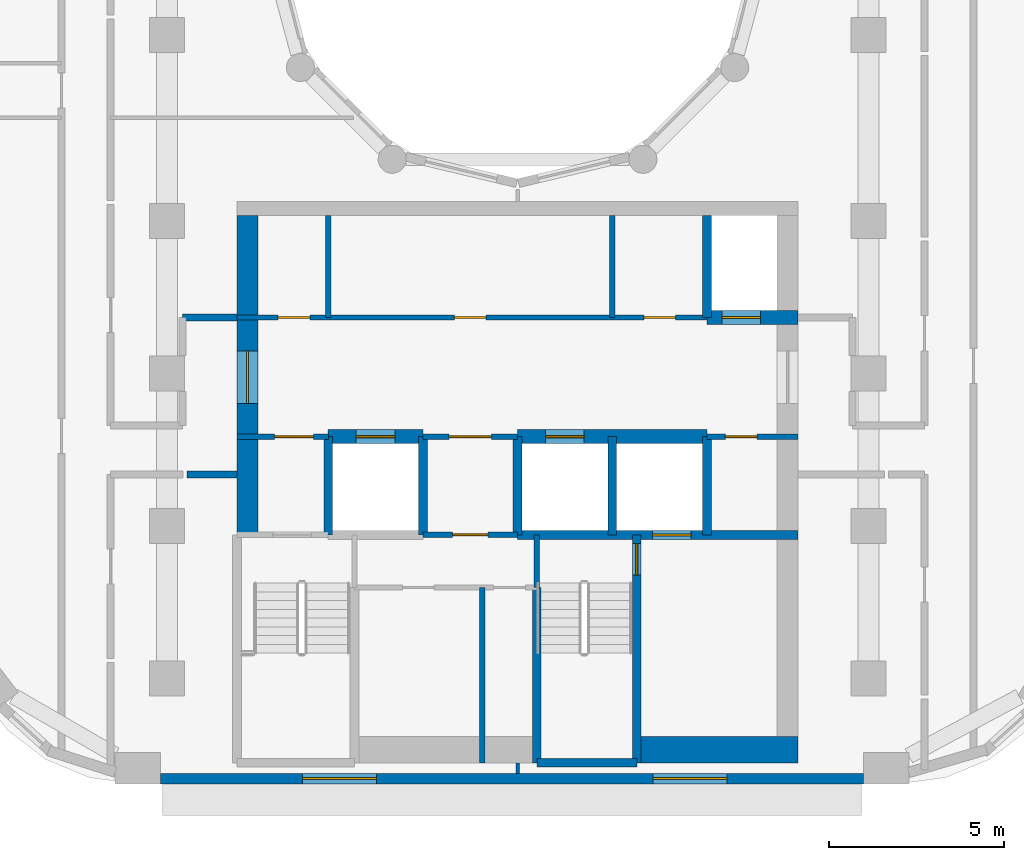
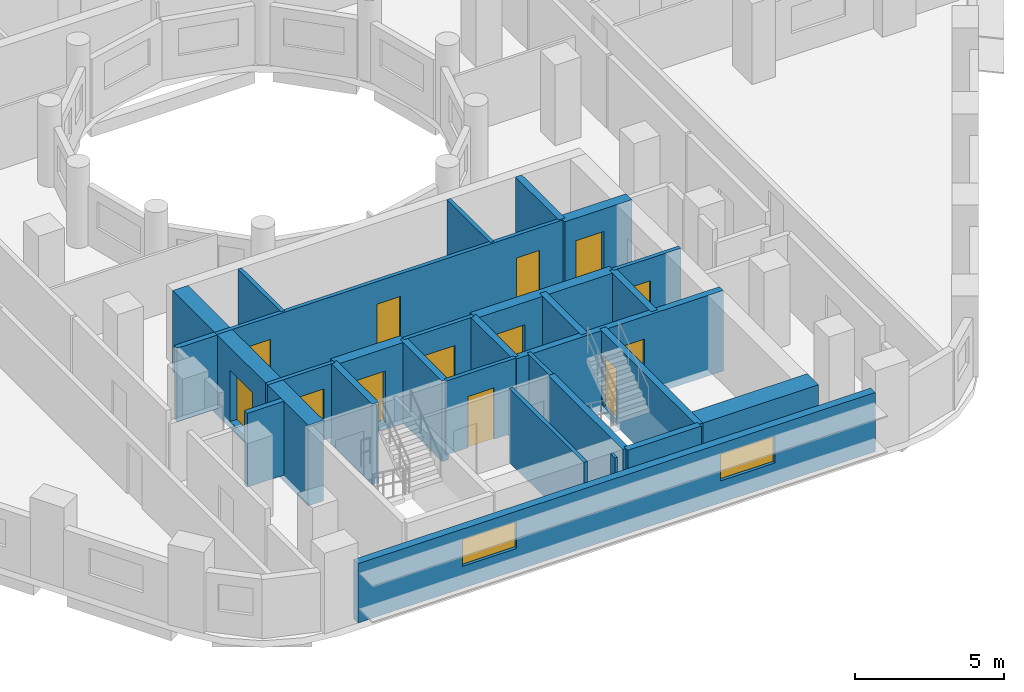
# One storey, part 3 of 13: 28 walls, 13 doors, 2 windows, 15 openings.
"""IFC4 building model written with IfcOpenShell, lengths in metres."""

from ifc_helpers import new_model, si_unit, direction, frame, frame_2d, origin, place, context, subcontext, project, spatial, rectangle, extrude, material, layer, layer_set, type_object, element, fill, save


model = new_model("IFC4")

# Units and contexts
model_context = context("Model", 3, precision=1e-05, world=origin(), true_north=direction((0.0, 1.0)))
body_context = subcontext(model_context, "Body", "Model", "MODEL_VIEW")
ifc_project = project(units=[si_unit("LENGTHUNIT", "METRE"), si_unit("AREAUNIT", "SQUARE_METRE"), si_unit("VOLUMEUNIT", "CUBIC_METRE"), si_unit("PLANEANGLEUNIT", "RADIAN"), si_unit("MASSUNIT", "GRAM", prefix="KILO")], contexts=[model_context])

# Site, building, storey
site_placement = place(None, origin())
site = spatial("IfcSite", under=ifc_project, at=site_placement, CompositionType="ELEMENT")
building_placement = place(site_placement, origin())
building = spatial("IfcBuilding", under=site, at=building_placement, Name="Nakaniwa Court", CompositionType="ELEMENT")
storey_placement = place(building_placement, frame((0.0, 0.0, 156.89990234375)))
storey = spatial("IfcBuildingStorey", under=building, at=storey_placement, Name="L41", CompositionType="ELEMENT", Elevation=156.89990234375)

# Walls
ifc_material_1 = material(Name="Acoustic double stud partition")
ifc_layer_1 = layer(ifc_material_1, 0.199951171875)
ifc_layer_set_1 = layer_set([ifc_layer_1], Name="Acoustic double stud partition")
wall_type_1 = type_object("IfcWallType", Name="Acoustic double stud partition 200", PredefinedType="PARTITIONING", material=ifc_layer_set_1)
wall_1_placement = place(storey_placement, frame((70.5771484375, 64.824951171875, 0.0), z_axis=(0.0, 0.0, 1.0), x_axis=(1.0, 0.0, 0.0)))
element("IfcWall", 1, at=wall_1_placement, inside=storey, type_object=wall_type_1, Name="Partition PW-077", PredefinedType="PARTITIONING", context=body_context, shape_type="SweptSolid", body=[
    extrude(rectangle(XDim=1.4228515625, YDim=0.199951171875, at=frame_2d((0.71142578125, 0.0))), origin(), (0.0, 0.0, 1.0), 3.025146484375),
])
wall_2_placement = place(storey_placement, frame((70.449951171875, 69.300048828125, 0.0), z_axis=(0.0, 0.0, 1.0), x_axis=(1.0, 0.0, 0.0)))
element("IfcWall", 2, at=wall_2_placement, inside=storey, type_object=wall_type_1, Name="Partition PW-081", PredefinedType="PARTITIONING", context=body_context, shape_type="SweptSolid", body=[
    extrude(rectangle(XDim=1.550048828125, YDim=0.199951171875, at=frame_2d((0.77490234375, 0.0))), origin(), (0.0, 0.0, 1.0), 3.025146484375),
])

# Wall, openings, windows
ifc_material_2 = material(Name="Charcoal ceramic cladding")
ifc_layer_2 = layer(ifc_material_2, 0.02, Name="Ceramic cladding")
ifc_material_3 = material(Name="Ventilated air cavity")
ifc_layer_3 = layer(ifc_material_3, 0.04, ventilated=True, Name="Ventilated cavity")
ifc_material_4 = material(Name="Mineral wool insulation")
ifc_layer_4 = layer(ifc_material_4, 0.1, Name="Insulation")
ifc_material_5 = material(Name="Cement bonded sheathing board")
ifc_layer_5 = layer(ifc_material_5, 0.012, Name="Sheathing")
ifc_material_6 = material(Name="Cold-formed galvanised stud frame with mineral wool infill")
ifc_layer_6 = layer(ifc_material_6, 0.1, Name="Stud frame")
ifc_material_7 = material(Name="Fire-rated gypsum plasterboard lining")
ifc_layer_7 = layer(ifc_material_7, 0.028, Name="Lining")
ifc_layer_set_2 = layer_set([ifc_layer_2, ifc_layer_3, ifc_layer_4, ifc_layer_5, ifc_layer_6, ifc_layer_7], Name="Charcoal ceramic faced external wall system")
wall_type_2 = type_object("IfcWallType", Name="Black ceramic faced external wall 300", PredefinedType="SOLIDWALL", material=ifc_layer_set_2)
wall_3_placement = place(storey_placement, frame((69.8212890625, 56.14990234375, 0.0), z_axis=(0.0, 0.0, 1.0), x_axis=(1.0, 0.0, 0.0)))
wall_3 = element("IfcWall", 3, at=wall_3_placement, inside=storey, type_object=wall_type_2, Name="L41 external wall 26", PredefinedType="SOLIDWALL", context=body_context, shape_type="SweptSolid", body=[
    extrude(rectangle(XDim=20.039794921875, YDim=0.300048828125, at=frame_2d((10.02001953125, 0.0))), origin(), (0.0, 0.0, 1.0), 2.425048828125),
])
opening_1_placement = place(wall_3_placement, frame((4.05126953125, 0.0, 0.89990234375)))
opening_1 = element("IfcOpeningElement", 4, at=opening_1_placement, cuts=wall_3, Name="Opening W7.25", PredefinedType="OPENING", context=body_context, shape_type="SweptSolid", body=[
    extrude(rectangle(XDim=2.10009765625, YDim=1.10009765625, at=frame_2d((1.050048828125, 0.550048828125))), frame((0.0, 0.159912109375, 0.0), z_axis=(0.0, -1.0, 0.0), x_axis=(1.0, 0.0, 0.0)), (0.0, 0.0, 1.0), 0.320068359375),
])
opening_2_placement = place(wall_3_placement, frame((14.047119140625, 0.0, 0.89990234375)))
opening_2 = element("IfcOpeningElement", 5, at=opening_2_placement, cuts=wall_3, Name="Opening W7.26", PredefinedType="OPENING", context=body_context, shape_type="SweptSolid", body=[
    extrude(rectangle(XDim=2.10009765625, YDim=1.10009765625, at=frame_2d((1.050048828125, 0.550048828125))), frame((0.0, 0.159912109375, 0.0), z_axis=(0.0, -1.0, 0.0), x_axis=(1.0, 0.0, 0.0)), (0.0, 0.0, 1.0), 0.320068359375),
])
ifc_material_8 = material(Name="Black anodised aluminium frame with dark low-E laminated double glazing", Category="aluminium")
window_type = type_object("IfcWindowType", Name="Dark glass window 2100x1100 sill 900", PartitioningType="SINGLE_PANEL", PredefinedType="WINDOW", material=ifc_material_8)
window_1_placement = place(opening_1_placement, origin())
window_1 = element("IfcWindow", 6, at=window_1_placement, inside=storey, type_object=window_type, Name="L41 habitable room window 26-0", OverallHeight=1.10009765625, OverallWidth=2.10009765625, PartitioningType="SINGLE_PANEL", PredefinedType="WINDOW", context=body_context, shape_type="SweptSolid", body=[
    extrude(rectangle(XDim=2.10009765625, YDim=1.10009765625, at=frame_2d((1.050048828125, 0.550048828125))), frame((0.0, 0.030029296875, 0.0), z_axis=(0.0, -1.0, 0.0), x_axis=(1.0, 0.0, 0.0)), (0.0, 0.0, 1.0), 0.06005859375),
])
fill(opening_1, window_1)
window_2_placement = place(opening_2_placement, origin())
window_2 = element("IfcWindow", 7, at=window_2_placement, inside=storey, type_object=window_type, Name="L41 habitable room window 26-1", OverallHeight=1.10009765625, OverallWidth=2.10009765625, PartitioningType="SINGLE_PANEL", PredefinedType="WINDOW", context=body_context, shape_type="SweptSolid", body=[
    extrude(rectangle(XDim=2.10009765625, YDim=1.10009765625, at=frame_2d((1.050048828125, 0.550048828125))), frame((0.0, 0.030029296875, 0.0), z_axis=(0.0, -1.0, 0.0), x_axis=(1.0, 0.0, 0.0)), (0.0, 0.0, 1.0), 0.06005859375),
])
fill(opening_2, window_2)

# Wall
ifc_material_9 = material(Name="Blockwork partition", Category="masonry")
ifc_layer_8 = layer(ifc_material_9, 0.14990234375)
ifc_layer_set_3 = layer_set([ifc_layer_8], Name="Blockwork partition")
wall_type_3 = type_object("IfcWallType", Name="Blockwork partition 150", PredefinedType="PARTITIONING", material=ifc_layer_set_3)
wall_4_placement = place(storey_placement, frame((74.60009765625, 69.300048828125, 0.0), z_axis=(0.0, 0.0, 1.0), x_axis=(0.0, 1.0, 0.0)))
element("IfcWall", 8, at=wall_4_placement, inside=storey, type_object=wall_type_3, Name="Partition PW-034", PredefinedType="PARTITIONING", context=body_context, shape_type="SweptSolid", body=[
    extrude(rectangle(XDim=2.89990234375, YDim=0.14990234375, at=frame_2d((1.449951171875, 0.0))), origin(), (0.0, 0.0, 1.0), 3.025146484375),
])

# Wall, openings, doors
wall_5_placement = place(storey_placement, frame((72.0, 69.300048828125, 0.0), z_axis=(0.0, 0.0, 1.0), x_axis=(1.0, 0.0, 0.0)))
wall_5 = element("IfcWall", 9, at=wall_5_placement, inside=storey, type_object=wall_type_3, Name="Partition PW-035", PredefinedType="PARTITIONING", context=body_context, shape_type="SweptSolid", body=[
    extrude(rectangle(XDim=13.39990234375, YDim=0.14990234375, at=frame_2d((6.699951171875, 0.0))), origin(), (0.0, 0.0, 1.0), 3.025146484375),
])
opening_3_placement = place(wall_5_placement, frame((1.175048828125, 0.0, 0.0)))
opening_3 = element("IfcOpeningElement", 10, at=opening_3_placement, cuts=wall_5, Name="Opening D-05-07", PredefinedType="OPENING", context=body_context, shape_type="SweptSolid", body=[
    extrude(rectangle(XDim=0.89990234375, YDim=2.10009765625, at=frame_2d((0.449951171875, 1.050048828125))), frame((0.0, 0.0849609375, 0.0), z_axis=(0.0, -1.0, 0.0), x_axis=(1.0, 0.0, 0.0)), (0.0, 0.0, 1.0), 0.169921875),
])
opening_4_placement = place(wall_5_placement, frame((6.199951171875, 0.0, 0.0)))
opening_4 = element("IfcOpeningElement", 11, at=opening_4_placement, cuts=wall_5, Name="Opening D-05-08", PredefinedType="OPENING", context=body_context, shape_type="SweptSolid", body=[
    extrude(rectangle(XDim=0.89990234375, YDim=2.10009765625, at=frame_2d((0.449951171875, 1.050048828125))), frame((0.0, 0.0849609375, 0.0), z_axis=(0.0, -1.0, 0.0), x_axis=(1.0, 0.0, 0.0)), (0.0, 0.0, 1.0), 0.169921875),
])
opening_5_placement = place(wall_5_placement, frame((11.60009765625, 0.0, 0.0)))
opening_5 = element("IfcOpeningElement", 12, at=opening_5_placement, cuts=wall_5, Name="Opening D-05-09", PredefinedType="OPENING", context=body_context, shape_type="SweptSolid", body=[
    extrude(rectangle(XDim=0.89990234375, YDim=2.10009765625, at=frame_2d((0.449951171875, 1.050048828125))), frame((0.0, 0.0849609375, 0.0), z_axis=(0.0, -1.0, 0.0), x_axis=(1.0, 0.0, 0.0)), (0.0, 0.0, 1.0), 0.169921875),
])
ifc_material_10 = material(Name="Fire rated steel door set", Category="steel")
door_type_1 = type_object("IfcDoorType", Name="Service room door 900", OperationType="NOTDEFINED", PredefinedType="DOOR", material=ifc_material_10)
door_1_placement = place(opening_3_placement, origin())
door_1 = element("IfcDoor", 13, at=door_1_placement, inside=storey, type_object=door_type_1, Name="Door D-05-07 L41-012", OperationType="SINGLE_SWING_LEFT", OverallHeight=2.10009765625, OverallWidth=0.89990234375, PredefinedType="DOOR", context=body_context, shape_type="SweptSolid", body=[
    extrude(rectangle(XDim=0.89990234375, YDim=2.10009765625, at=frame_2d((0.449951171875, 1.050048828125))), frame((0.0, 0.02490234375, 0.0), z_axis=(0.0, -1.0, 0.0), x_axis=(1.0, 0.0, 0.0)), (0.0, 0.0, 1.0), 0.050048828125),
])
fill(opening_3, door_1)
door_2_placement = place(opening_4_placement, origin())
door_2 = element("IfcDoor", 14, at=door_2_placement, inside=storey, type_object=door_type_1, Name="Door D-05-08 L41-013", OperationType="SINGLE_SWING_RIGHT", OverallHeight=2.10009765625, OverallWidth=0.89990234375, PredefinedType="DOOR", context=body_context, shape_type="SweptSolid", body=[
    extrude(rectangle(XDim=0.89990234375, YDim=2.10009765625, at=frame_2d((0.449951171875, 1.050048828125))), frame((0.0, 0.02490234375, 0.0), z_axis=(0.0, -1.0, 0.0), x_axis=(1.0, 0.0, 0.0)), (0.0, 0.0, 1.0), 0.050048828125),
])
fill(opening_4, door_2)
door_3_placement = place(opening_5_placement, origin())
door_3 = element("IfcDoor", 15, at=door_3_placement, inside=storey, type_object=door_type_1, Name="Door D-05-09 L41-014", OperationType="SINGLE_SWING_LEFT", OverallHeight=2.10009765625, OverallWidth=0.89990234375, PredefinedType="DOOR", context=body_context, shape_type="SweptSolid", body=[
    extrude(rectangle(XDim=0.89990234375, YDim=2.10009765625, at=frame_2d((0.449951171875, 1.050048828125))), frame((0.0, 0.02490234375, 0.0), z_axis=(0.0, -1.0, 0.0), x_axis=(1.0, 0.0, 0.0)), (0.0, 0.0, 1.0), 0.050048828125),
])
fill(opening_5, door_3)

# Wall
wall_6_placement = place(storey_placement, frame((82.699951171875, 69.300048828125, 0.0), z_axis=(0.0, 0.0, 1.0), x_axis=(0.0, 1.0, 0.0)))
element("IfcWall", 16, at=wall_6_placement, inside=storey, type_object=wall_type_3, Name="Partition PW-041", PredefinedType="PARTITIONING", context=body_context, shape_type="SweptSolid", body=[
    extrude(rectangle(XDim=2.89990234375, YDim=0.14990234375, at=frame_2d((1.449951171875, 0.0))), origin(), (0.0, 0.0, 1.0), 3.025146484375),
])

# Wall, opening, door
wall_7_placement = place(storey_placement, frame((74.60302734375, 65.89990234375, 0.0), z_axis=(0.0, 0.0, 1.0), x_axis=(-1.0, 0.0, 0.0)))
wall_7 = element("IfcWall", 17, at=wall_7_placement, inside=storey, type_object=wall_type_3, Name="Partition PW-042", PredefinedType="PARTITIONING", context=body_context, shape_type="SweptSolid", body=[
    extrude(rectangle(XDim=2.60302734375, YDim=0.14990234375, at=frame_2d((1.301513671875, 0.0))), origin(), (0.0, 0.0, 1.0), 3.025146484375),
])
opening_6_placement = place(wall_7_placement, frame((0.427978515625, 0.0, 0.0)))
opening_6 = element("IfcOpeningElement", 18, at=opening_6_placement, cuts=wall_7, Name="Opening D-08-02", PredefinedType="OPENING", context=body_context, shape_type="SweptSolid", body=[
    extrude(rectangle(XDim=1.10009765625, YDim=2.10009765625, at=frame_2d((0.550048828125, 1.050048828125))), frame((0.0, 0.0849609375, 0.0), z_axis=(0.0, -1.0, 0.0), x_axis=(1.0, 0.0, 0.0)), (0.0, 0.0, 1.0), 0.169921875),
])
door_type_2 = type_object("IfcDoorType", Name="Stair lobby door 1100", OperationType="NOTDEFINED", PredefinedType="DOOR", material=ifc_material_10)
door_4_placement = place(opening_6_placement, origin())
door_4 = element("IfcDoor", 19, at=door_4_placement, inside=storey, type_object=door_type_2, Name="Door D-08-02 L41-015", OperationType="SINGLE_SWING_RIGHT", OverallHeight=2.10009765625, OverallWidth=1.10009765625, PredefinedType="DOOR", context=body_context, shape_type="SweptSolid", body=[
    extrude(rectangle(XDim=1.10009765625, YDim=2.10009765625, at=frame_2d((0.550048828125, 1.050048828125))), frame((0.0, 0.02490234375, 0.0), z_axis=(0.0, -1.0, 0.0), x_axis=(1.0, 0.0, 0.0)), (0.0, 0.0, 1.0), 0.050048828125),
])
fill(opening_6, door_4)

wall_8_placement = place(storey_placement, frame((80.0029296875, 65.89990234375, 0.0), z_axis=(0.0, 0.0, 1.0), x_axis=(-1.0, 0.0, 0.0)))
wall_8 = element("IfcWall", 20, at=wall_8_placement, inside=storey, type_object=wall_type_3, Name="Partition PW-043", PredefinedType="PARTITIONING", context=body_context, shape_type="SweptSolid", body=[
    extrude(rectangle(XDim=2.705810546875, YDim=0.14990234375, at=frame_2d((1.35302734375, 0.0))), origin(), (0.0, 0.0, 1.0), 3.025146484375),
])
opening_7_placement = place(wall_8_placement, frame((0.7529296875, 0.0, 0.0)))
opening_7 = element("IfcOpeningElement", 21, at=opening_7_placement, cuts=wall_8, Name="Opening D-06-02", PredefinedType="OPENING", context=body_context, shape_type="SweptSolid", body=[
    extrude(rectangle(XDim=1.199951171875, YDim=2.10009765625, at=frame_2d((0.60009765625, 1.050048828125))), frame((0.0, 0.0849609375, 0.0), z_axis=(0.0, -1.0, 0.0), x_axis=(1.0, 0.0, 0.0)), (0.0, 0.0, 1.0), 0.169921875),
])
ifc_material_11 = material(Name="Fire rated steel double door set", Category="steel")
door_type_3 = type_object("IfcDoorType", Name="Service passage double door 1200", OperationType="NOTDEFINED", PredefinedType="DOOR", material=ifc_material_11)
door_5_placement = place(opening_7_placement, origin())
door_5 = element("IfcDoor", 22, at=door_5_placement, inside=storey, type_object=door_type_3, Name="Door D-06-02 L41-016", OperationType="DOUBLE_DOOR_SINGLE_SWING", OverallHeight=2.10009765625, OverallWidth=1.199951171875, PredefinedType="DOOR", context=body_context, shape_type="SweptSolid", body=[
    extrude(rectangle(XDim=1.199951171875, YDim=2.10009765625, at=frame_2d((0.60009765625, 1.050048828125))), frame((0.0, 0.02490234375, 0.0), z_axis=(0.0, -1.0, 0.0), x_axis=(1.0, 0.0, 0.0)), (0.0, 0.0, 1.0), 0.050048828125),
])
fill(opening_7, door_5)

wall_9_placement = place(storey_placement, frame((88.0, 65.89990234375, 0.0), z_axis=(0.0, 0.0, 1.0), x_axis=(-1.0, 0.0, 0.0)))
wall_9 = element("IfcWall", 23, at=wall_9_placement, inside=storey, type_object=wall_type_3, Name="Partition PW-044", PredefinedType="PARTITIONING", context=body_context, shape_type="SweptSolid", body=[
    extrude(rectangle(XDim=2.60302734375, YDim=0.14990234375, at=frame_2d((1.301513671875, 0.0))), origin(), (0.0, 0.0, 1.0), 3.025146484375),
])
opening_8_placement = place(wall_9_placement, frame((1.175048828125, 0.0, 0.0)))
opening_8 = element("IfcOpeningElement", 24, at=opening_8_placement, cuts=wall_9, Name="Opening D-05-10", PredefinedType="OPENING", context=body_context, shape_type="SweptSolid", body=[
    extrude(rectangle(XDim=0.89990234375, YDim=2.10009765625, at=frame_2d((0.449951171875, 1.050048828125))), frame((0.0, 0.0849609375, 0.0), z_axis=(0.0, -1.0, 0.0), x_axis=(1.0, 0.0, 0.0)), (0.0, 0.0, 1.0), 0.169921875),
])
door_6_placement = place(opening_8_placement, origin())
door_6 = element("IfcDoor", 25, at=door_6_placement, inside=storey, type_object=door_type_1, Name="Door D-05-10 L41-017", OperationType="SINGLE_SWING_RIGHT", OverallHeight=2.10009765625, OverallWidth=0.89990234375, PredefinedType="DOOR", context=body_context, shape_type="SweptSolid", body=[
    extrude(rectangle(XDim=0.89990234375, YDim=2.10009765625, at=frame_2d((0.449951171875, 1.050048828125))), frame((0.0, 0.02490234375, 0.0), z_axis=(0.0, -1.0, 0.0), x_axis=(1.0, 0.0, 0.0)), (0.0, 0.0, 1.0), 0.050048828125),
])
fill(opening_8, door_6)

wall_10_placement = place(storey_placement, frame((80.0, 63.10009765625, 0.0), z_axis=(0.0, 0.0, 1.0), x_axis=(-1.0, 0.0, 0.0)))
wall_10 = element("IfcWall", 26, at=wall_10_placement, inside=storey, type_object=wall_type_3, Name="Partition PW-053", PredefinedType="PARTITIONING", context=body_context, shape_type="SweptSolid", body=[
    extrude(rectangle(XDim=2.699951171875, YDim=0.14990234375, at=frame_2d((1.35009765625, 0.0))), origin(), (0.0, 0.0, 1.0), 3.025146484375),
])
opening_9_placement = place(wall_10_placement, frame((0.85009765625, 0.0, 0.0)))
opening_9 = element("IfcOpeningElement", 27, at=opening_9_placement, cuts=wall_10, Name="Opening D-23-02", PredefinedType="OPENING", context=body_context, shape_type="SweptSolid", body=[
    extrude(rectangle(XDim=1.0, YDim=2.10009765625, at=frame_2d((0.5, 1.050048828125))), frame((0.0, 0.0849609375, 0.0), z_axis=(0.0, -1.0, 0.0), x_axis=(1.0, 0.0, 0.0)), (0.0, 0.0, 1.0), 0.169921875),
])
door_type_4 = type_object("IfcDoorType", Name="Service room door 1000", OperationType="NOTDEFINED", PredefinedType="DOOR", material=ifc_material_10)
door_7_placement = place(opening_9_placement, origin())
door_7 = element("IfcDoor", 28, at=door_7_placement, inside=storey, type_object=door_type_4, Name="Door D-23-02 L41-018", OperationType="SINGLE_SWING_LEFT", OverallHeight=2.10009765625, OverallWidth=1.0, PredefinedType="DOOR", context=body_context, shape_type="SweptSolid", body=[
    extrude(rectangle(XDim=1.0, YDim=2.10009765625, at=frame_2d((0.5, 1.050048828125))), frame((0.0, 0.02490234375, 0.0), z_axis=(0.0, -1.0, 0.0), x_axis=(1.0, 0.0, 0.0)), (0.0, 0.0, 1.0), 0.050048828125),
])
fill(opening_9, door_7)

# Wall
wall_11_placement = place(storey_placement, frame((78.989990234375, 56.60009765625, 0.0), z_axis=(0.0, 0.0, 1.0), x_axis=(0.0, 1.0, 0.0)))
element("IfcWall", 29, at=wall_11_placement, inside=storey, type_object=wall_type_3, Name="Partition PW-066", PredefinedType="PARTITIONING", context=body_context, shape_type="SweptSolid", body=[
    extrude(rectangle(XDim=5.0, YDim=0.14990234375, at=frame_2d((2.5, 0.0))), origin(), (0.0, 0.0, 1.0), 3.025146484375),
])

# Wall, opening, door
ifc_material_12 = material(Name="Concrete C80/100", Category="concrete")
ifc_layer_9 = layer(ifc_material_12, 0.60009765625)
ifc_layer_set_4 = layer_set([ifc_layer_9], Name="Concrete C80/100")
wall_type_4 = type_object("IfcWallType", Name="Concrete core side wall 600 C80", PredefinedType="SHEAR", material=ifc_layer_set_4)
wall_12_placement = place(storey_placement, frame((72.300048828125, 63.10009765625, -0.27490234375), z_axis=(0.0, 0.0, 1.0), x_axis=(0.0, 1.0, 0.0)))
wall_12 = element("IfcWall", 30, at=wall_12_placement, inside=storey, type_object=wall_type_4, Name="Core wall SW-36", PredefinedType="SHEAR", context=body_context, shape_type="SweptSolid", body=[
    extrude(rectangle(XDim=9.099853515625, YDim=0.60009765625, at=frame_2d((4.5498046875, 0.0))), origin(), (0.0, 0.0, 1.0), 3.300048828125),
])
opening_10_placement = place(wall_12_placement, frame((3.748046875, 0.0, 0.27490234375)))
opening_10 = element("IfcOpeningElement", 31, at=opening_10_placement, cuts=wall_12, Name="Opening D-07-04", PredefinedType="OPENING", context=body_context, shape_type="SweptSolid", body=[
    extrude(rectangle(XDim=1.5, YDim=2.10009765625, at=frame_2d((0.75, 1.050048828125))), frame((0.0, 0.31005859375, 0.0), z_axis=(0.0, -1.0, 0.0), x_axis=(1.0, 0.0, 0.0)), (0.0, 0.0, 1.0), 0.6201171875),
])
ifc_material_13 = material(Name="Glazed fire rated steel double door set", Category="steel")
door_type_5 = type_object("IfcDoorType", Name="Lobby double door 1500", OperationType="NOTDEFINED", PredefinedType="DOOR", material=ifc_material_13)
door_8_placement = place(opening_10_placement, origin())
door_8 = element("IfcDoor", 32, at=door_8_placement, inside=storey, type_object=door_type_5, Name="Door D-07-04 L41-052", OperationType="DOUBLE_DOOR_SINGLE_SWING", OverallHeight=2.10009765625, OverallWidth=1.5, PredefinedType="DOOR", context=body_context, shape_type="SweptSolid", body=[
    extrude(rectangle(XDim=1.5, YDim=2.10009765625, at=frame_2d((0.75, 1.050048828125))), frame((0.0, 0.02490234375, 0.0), z_axis=(0.0, -1.0, 0.0), x_axis=(1.0, 0.0, 0.0)), (0.0, 0.0, 1.0), 0.050048828125),
])
fill(opening_10, door_8)

ifc_layer_10 = layer(ifc_material_12, 0.39990234375)
ifc_layer_set_5 = layer_set([ifc_layer_10], Name="Concrete C80/100")
wall_type_5 = type_object("IfcWallType", Name="Concrete core spine wall 400 C80", PredefinedType="SHEAR", material=ifc_layer_set_5)
wall_13_placement = place(storey_placement, frame((85.39990234375, 69.300048828125, -0.27490234375), z_axis=(0.0, 0.0, 1.0), x_axis=(1.0, 0.0, 0.0)))
wall_13 = element("IfcWall", 33, at=wall_13_placement, inside=storey, type_object=wall_type_5, Name="Core wall SW-39", PredefinedType="SHEAR", context=body_context, shape_type="SweptSolid", body=[
    extrude(rectangle(XDim=2.60009765625, YDim=0.39990234375, at=frame_2d((1.300048828125, 0.0))), origin(), (0.0, 0.0, 1.0), 3.300048828125),
])
opening_11_placement = place(wall_13_placement, frame((0.425048828125, 0.0, 0.27490234375)))
opening_11 = element("IfcOpeningElement", 34, at=opening_11_placement, cuts=wall_13, Name="Opening LD05", PredefinedType="OPENING", context=body_context, shape_type="SweptSolid", body=[
    extrude(rectangle(XDim=1.10009765625, YDim=2.10009765625, at=frame_2d((0.550048828125, 1.050048828125))), frame((0.0, 0.2099609375, 0.0), z_axis=(0.0, -1.0, 0.0), x_axis=(1.0, 0.0, 0.0)), (0.0, 0.0, 1.0), 0.419921875),
])
ifc_material_14 = material(Name="Stainless steel sliding lift landing door", Category="steel")
door_type_6 = type_object("IfcDoorType", Name="Lift landing door 1100", OperationType="NOTDEFINED", PredefinedType="DOOR", material=ifc_material_14)
door_9_placement = place(opening_11_placement, origin())
door_9 = element("IfcDoor", 35, at=door_9_placement, inside=storey, type_object=door_type_6, Name="Lift landing door LD05 L41-005", OperationType="SLIDING_TO_LEFT", OverallHeight=2.10009765625, OverallWidth=1.10009765625, PredefinedType="DOOR", context=body_context, shape_type="SweptSolid", body=[
    extrude(rectangle(XDim=1.10009765625, YDim=2.10009765625, at=frame_2d((0.550048828125, 1.050048828125))), frame((0.0, 0.02490234375, 0.0), z_axis=(0.0, -1.0, 0.0), x_axis=(1.0, 0.0, 0.0)), (0.0, 0.0, 1.0), 0.050048828125),
])
fill(opening_11, door_9)

wall_14_placement = place(storey_placement, frame((74.596923828125, 65.89990234375, -0.27490234375), z_axis=(0.0, 0.0, 1.0), x_axis=(1.0, 0.0, 0.0)))
wall_14 = element("IfcWall", 36, at=wall_14_placement, inside=storey, type_object=wall_type_5, Name="Core wall SW-45", PredefinedType="SHEAR", context=body_context, shape_type="SweptSolid", body=[
    extrude(rectangle(XDim=2.7060546875, YDim=0.39990234375, at=frame_2d((1.35302734375, 0.0))), origin(), (0.0, 0.0, 1.0), 3.300048828125),
])
opening_12_placement = place(wall_14_placement, frame((0.802978515625, 0.0, 0.27490234375)))
opening_12 = element("IfcOpeningElement", 37, at=opening_12_placement, cuts=wall_14, Name="Opening LD06", PredefinedType="OPENING", context=body_context, shape_type="SweptSolid", body=[
    extrude(rectangle(XDim=1.10009765625, YDim=2.10009765625, at=frame_2d((0.550048828125, 1.050048828125))), frame((0.0, 0.2099609375, 0.0), z_axis=(0.0, -1.0, 0.0), x_axis=(1.0, 0.0, 0.0)), (0.0, 0.0, 1.0), 0.419921875),
])
door_10_placement = place(opening_12_placement, origin())
door_10 = element("IfcDoor", 38, at=door_10_placement, inside=storey, type_object=door_type_6, Name="Lift landing door LD06 L41-006", OperationType="SLIDING_TO_LEFT", OverallHeight=2.10009765625, OverallWidth=1.10009765625, PredefinedType="DOOR", context=body_context, shape_type="SweptSolid", body=[
    extrude(rectangle(XDim=1.10009765625, YDim=2.10009765625, at=frame_2d((0.550048828125, 1.050048828125))), frame((0.0, 0.02490234375, 0.0), z_axis=(0.0, -1.0, 0.0), x_axis=(1.0, 0.0, 0.0)), (0.0, 0.0, 1.0), 0.050048828125),
])
fill(opening_12, door_10)

wall_15_placement = place(storey_placement, frame((79.9970703125, 65.89990234375, -0.27490234375), z_axis=(0.0, 0.0, 1.0), x_axis=(1.0, 0.0, 0.0)))
wall_15 = element("IfcWall", 39, at=wall_15_placement, inside=storey, type_object=wall_type_5, Name="Core wall SW-46", PredefinedType="SHEAR", context=body_context, shape_type="SweptSolid", body=[
    extrude(rectangle(XDim=5.406005859375, YDim=0.39990234375, at=frame_2d((2.703125, 0.0))), origin(), (0.0, 0.0, 1.0), 3.300048828125),
])
opening_13_placement = place(wall_15_placement, frame((0.802978515625, 0.0, 0.27490234375)))
opening_13 = element("IfcOpeningElement", 40, at=opening_13_placement, cuts=wall_15, Name="Opening LD07", PredefinedType="OPENING", context=body_context, shape_type="SweptSolid", body=[
    extrude(rectangle(XDim=1.10009765625, YDim=2.10009765625, at=frame_2d((0.550048828125, 1.050048828125))), frame((0.0, 0.2099609375, 0.0), z_axis=(0.0, -1.0, 0.0), x_axis=(1.0, 0.0, 0.0)), (0.0, 0.0, 1.0), 0.419921875),
])
door_11_placement = place(opening_13_placement, origin())
door_11 = element("IfcDoor", 41, at=door_11_placement, inside=storey, type_object=door_type_6, Name="Lift landing door LD07 L41-007", OperationType="SLIDING_TO_LEFT", OverallHeight=2.10009765625, OverallWidth=1.10009765625, PredefinedType="DOOR", context=body_context, shape_type="SweptSolid", body=[
    extrude(rectangle(XDim=1.10009765625, YDim=2.10009765625, at=frame_2d((0.550048828125, 1.050048828125))), frame((0.0, 0.02490234375, 0.0), z_axis=(0.0, -1.0, 0.0), x_axis=(1.0, 0.0, 0.0)), (0.0, 0.0, 1.0), 0.050048828125),
])
fill(opening_13, door_11)

# Walls
ifc_layer_11 = layer(ifc_material_12, 0.14990234375)
ifc_layer_set_6 = layer_set([ifc_layer_11], Name="Concrete C80/100")
wall_type_6 = type_object("IfcWallType", Name="Concrete core wall 150 C80", PredefinedType="SHEAR", material=ifc_layer_set_6)
wall_16_placement = place(storey_placement, frame((80.550048828125, 61.596923828125, -0.27490234375), z_axis=(0.0, 0.0, 1.0), x_axis=(0.0, 1.0, 0.0)))
element("IfcWall", 42, at=wall_16_placement, inside=storey, type_object=wall_type_6, Name="Core wall SW-61", PredefinedType="SHEAR", context=body_context, shape_type="SweptSolid", body=[
    extrude(rectangle(XDim=1.503173828125, YDim=0.14990234375, at=frame_2d((0.75146484375, 0.0))), origin(), (0.0, 0.0, 1.0), 3.300048828125),
])
ifc_layer_12 = layer(ifc_material_12, 0.25)
ifc_layer_set_7 = layer_set([ifc_layer_12], Name="Concrete C80/100")
wall_type_7 = type_object("IfcWallType", Name="Concrete core wall 250 C80", PredefinedType="SHEAR", material=ifc_layer_set_7)
wall_17_placement = place(storey_placement, frame((80.550048828125, 56.60009765625, -0.27490234375), z_axis=(0.0, 0.0, 1.0), x_axis=(1.0, 0.0, 0.0)))
element("IfcWall", 43, at=wall_17_placement, inside=storey, type_object=wall_type_7, Name="Core wall SW-59", PredefinedType="SHEAR", context=body_context, shape_type="SweptSolid", body=[
    extrude(rectangle(XDim=2.849853515625, YDim=0.25, at=frame_2d((1.4248046875, 0.0))), origin(), (0.0, 0.0, 1.0), 3.300048828125),
])
ifc_layer_13 = layer(ifc_material_12, 0.75)
ifc_layer_set_8 = layer_set([ifc_layer_13], Name="Concrete C80/100")
wall_type_8 = type_object("IfcWallType", Name="Concrete core wall 750 C80", PredefinedType="SHEAR", material=ifc_layer_set_8)
wall_18_placement = place(storey_placement, frame((83.39990234375, 56.97509765625, -0.27490234375), z_axis=(0.0, 0.0, 1.0), x_axis=(1.0, 0.0, 0.0)))
element("IfcWall", 44, at=wall_18_placement, inside=storey, type_object=wall_type_8, Name="Core wall SW-64", PredefinedType="SHEAR", context=body_context, shape_type="SweptSolid", body=[
    extrude(rectangle(XDim=4.60009765625, YDim=0.75, at=frame_2d((2.300048828125, 0.0))), origin(), (0.0, 0.0, 1.0), 3.300048828125),
])
ifc_layer_14 = layer(ifc_material_12, 0.25)
ifc_layer_set_9 = layer_set([ifc_layer_14], Name="Concrete C80/100")
wall_type_9 = type_object("IfcWallType", Name="Concrete shaft wall 250 C80", PredefinedType="SHEAR", material=ifc_layer_set_9)
wall_19_placement = place(storey_placement, frame((85.39990234375, 63.10009765625, -0.27490234375), z_axis=(0.0, 0.0, 1.0), x_axis=(0.0, 1.0, 0.0)))
element("IfcWall", 45, at=wall_19_placement, inside=storey, type_object=wall_type_9, Name="Core wall SW-37", PredefinedType="SHEAR", context=body_context, shape_type="SweptSolid", body=[
    extrude(rectangle(XDim=2.7998046875, YDim=0.25, at=frame_2d((1.39990234375, 0.0))), origin(), (0.0, 0.0, 1.0), 3.300048828125),
])
wall_20_placement = place(storey_placement, frame((85.39990234375, 69.300048828125, -0.27490234375), z_axis=(0.0, 0.0, 1.0), x_axis=(0.0, 1.0, 0.0)))
element("IfcWall", 46, at=wall_20_placement, inside=storey, type_object=wall_type_9, Name="Core wall SW-38", PredefinedType="SHEAR", context=body_context, shape_type="SweptSolid", body=[
    extrude(rectangle(XDim=2.89990234375, YDim=0.25, at=frame_2d((1.449951171875, 0.0))), origin(), (0.0, 0.0, 1.0), 3.300048828125),
])
for number, where, z_axis, x_axis, name in (
    (47, (74.60009765625, 63.10009765625, -0.27490234375), (0.0, 0.0, 1.0), (0.0, 1.0, 0.0), "Core wall SW-47"),
    (48, (77.300048828125, 63.10009765625, -0.27490234375), (0.0, 0.0, 1.0), (0.0, 1.0, 0.0), "Core wall SW-49"),
):
    element("IfcWall", number, at=place(storey_placement, frame(where, z_axis=z_axis, x_axis=x_axis)), inside=storey, type_object=wall_type_9, Name=name, PredefinedType="SHEAR", context=body_context, shape_type="SweptSolid", body=[
        extrude(rectangle(XDim=2.7998046875, YDim=0.25, at=frame_2d((1.39990234375, 0.0))), origin(), (0.0, 0.0, 1.0), 3.300048828125),
    ])

# Wall, opening, door
wall_21_placement = place(storey_placement, frame((80.0, 63.10009765625, -0.27490234375), z_axis=(0.0, 0.0, 1.0), x_axis=(1.0, 0.0, 0.0)))
wall_21 = element("IfcWall", 49, at=wall_21_placement, inside=storey, type_object=wall_type_9, Name="Core wall SW-51", PredefinedType="SHEAR", context=body_context, shape_type="SweptSolid", body=[
    extrude(rectangle(XDim=8.0, YDim=0.25, at=frame_2d((4.0, 0.0))), origin(), (0.0, 0.0, 1.0), 3.300048828125),
])
opening_14_placement = place(wall_21_placement, frame((3.84912109375, 0.0, 0.27490234375)))
opening_14 = element("IfcOpeningElement", 50, at=opening_14_placement, cuts=wall_21, Name="Opening LD08", PredefinedType="OPENING", context=body_context, shape_type="SweptSolid", body=[
    extrude(rectangle(XDim=1.10009765625, YDim=2.10009765625, at=frame_2d((0.550048828125, 1.050048828125))), frame((0.0, 0.135009765625, 0.0), z_axis=(0.0, -1.0, 0.0), x_axis=(1.0, 0.0, 0.0)), (0.0, 0.0, 1.0), 0.27001953125),
])
door_12_placement = place(opening_14_placement, origin())
door_12 = element("IfcDoor", 51, at=door_12_placement, inside=storey, type_object=door_type_6, Name="Lift landing door LD08 L41-008", OperationType="SLIDING_TO_LEFT", OverallHeight=2.10009765625, OverallWidth=1.10009765625, PredefinedType="DOOR", context=body_context, shape_type="SweptSolid", body=[
    extrude(rectangle(XDim=1.10009765625, YDim=2.10009765625, at=frame_2d((0.550048828125, 1.050048828125))), frame((0.0, 0.02490234375, 0.0), z_axis=(0.0, -1.0, 0.0), x_axis=(1.0, 0.0, 0.0)), (0.0, 0.0, 1.0), 0.050048828125),
])
fill(opening_14, door_12)

# Walls
for number, where, z_axis, x_axis, name in (
    (52, (80.0, 63.10009765625, -0.27490234375), (0.0, 0.0, 1.0), (0.0, 1.0, 0.0), "Core wall SW-52"),
    (53, (82.699951171875, 63.10009765625, -0.27490234375), (0.0, 0.0, 1.0), (0.0, 1.0, 0.0), "Core wall SW-54"),
):
    element("IfcWall", number, at=place(storey_placement, frame(where, z_axis=z_axis, x_axis=x_axis)), inside=storey, type_object=wall_type_9, Name=name, PredefinedType="SHEAR", context=body_context, shape_type="SweptSolid", body=[
        extrude(rectangle(XDim=2.7998046875, YDim=0.25, at=frame_2d((1.39990234375, 0.0))), origin(), (0.0, 0.0, 1.0), 3.300048828125),
    ])

# Wall, opening, door
wall_22_placement = place(storey_placement, frame((83.39990234375, 63.10009765625, -0.27490234375), z_axis=(0.0, 0.0, 1.0), x_axis=(0.0, -1.0, 0.0)))
wall_22 = element("IfcWall", 54, at=wall_22_placement, inside=storey, type_object=wall_type_9, Name="Core wall SW-60", PredefinedType="SHEAR", context=body_context, shape_type="SweptSolid", body=[
    extrude(rectangle(XDim=6.5, YDim=0.25, at=frame_2d((3.25, 0.0))), origin(), (0.0, 0.0, 1.0), 3.300048828125),
])
opening_15_placement = place(wall_22_placement, frame((0.25, 0.0, 0.27490234375)))
opening_15 = element("IfcOpeningElement", 55, at=opening_15_placement, cuts=wall_22, Name="Opening D-11-02", PredefinedType="OPENING", context=body_context, shape_type="SweptSolid", body=[
    extrude(rectangle(XDim=0.89990234375, YDim=2.10009765625, at=frame_2d((0.449951171875, 1.050048828125))), frame((0.0, 0.135009765625, 0.0), z_axis=(0.0, -1.0, 0.0), x_axis=(1.0, 0.0, 0.0)), (0.0, 0.0, 1.0), 0.27001953125),
])
door_type_7 = type_object("IfcDoorType", Name="Stair door 900", OperationType="NOTDEFINED", PredefinedType="DOOR", material=ifc_material_10)
door_13_placement = place(opening_15_placement, origin())
door_13 = element("IfcDoor", 56, at=door_13_placement, inside=storey, type_object=door_type_7, Name="Door D-11-02 L41-022", OperationType="SINGLE_SWING_RIGHT", OverallHeight=2.10009765625, OverallWidth=0.89990234375, PredefinedType="DOOR", context=body_context, shape_type="SweptSolid", body=[
    extrude(rectangle(XDim=0.89990234375, YDim=2.10009765625, at=frame_2d((0.449951171875, 1.050048828125))), frame((0.0, 0.02490234375, 0.0), z_axis=(0.0, -1.0, 0.0), x_axis=(1.0, 0.0, 0.0)), (0.0, 0.0, 1.0), 0.050048828125),
])
fill(opening_15, door_13)

# Walls
wall_23_placement = place(storey_placement, frame((80.550048828125, 56.60009765625, -0.27490234375), z_axis=(0.0, 0.0, 1.0), x_axis=(0.0, 1.0, 0.0)))
element("IfcWall", 57, at=wall_23_placement, inside=storey, type_object=wall_type_9, Name="Core wall SW-62", PredefinedType="SHEAR", context=body_context, shape_type="SweptSolid", body=[
    extrude(rectangle(XDim=5.0029296875, YDim=0.25, at=frame_2d((2.50146484375, 0.0))), origin(), (0.0, 0.0, 1.0), 3.300048828125),
])
ifc_material_15 = material(Name="Single stud plasterboard partition")
ifc_layer_15 = layer(ifc_material_15, 0.10009765625)
ifc_layer_set_10 = layer_set([ifc_layer_15], Name="Single stud plasterboard partition")
wall_type_10 = type_object("IfcWallType", Name="Single stud plasterboard partition 100", PredefinedType="PARTITIONING", material=ifc_layer_set_10)
wall_24_placement = place(storey_placement, frame((80.0, 56.300048828125, 0.0), z_axis=(0.0, 0.0, 1.0), x_axis=(0.0, 1.0, 0.0)))
element("IfcWall", 58, at=wall_24_placement, inside=storey, type_object=wall_type_10, Name="Partition PW-111", PredefinedType="PARTITIONING", context=body_context, shape_type="SweptSolid", body=[
    extrude(rectangle(XDim=0.300048828125, YDim=0.10009765625, at=frame_2d((0.14990234375, 0.0))), origin(), (0.0, 0.0, 1.0), 3.025146484375),
])

save(model, "model.ifc")
